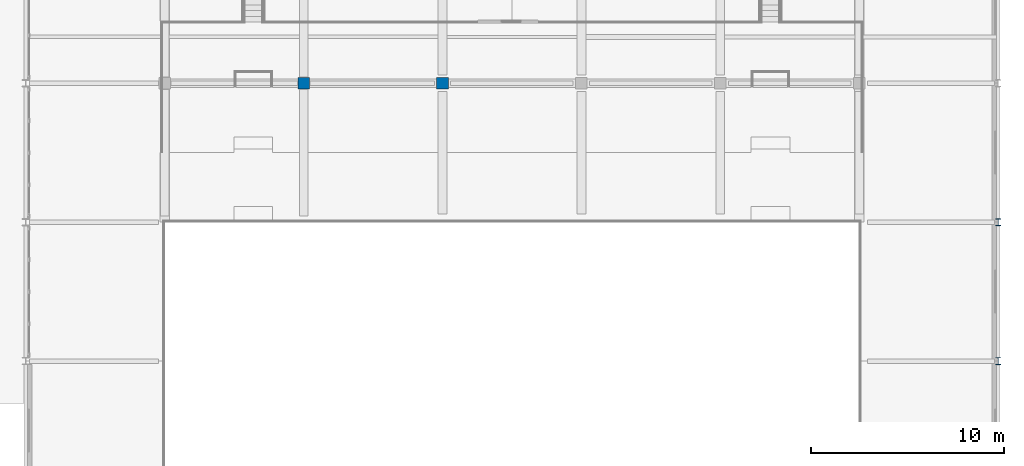
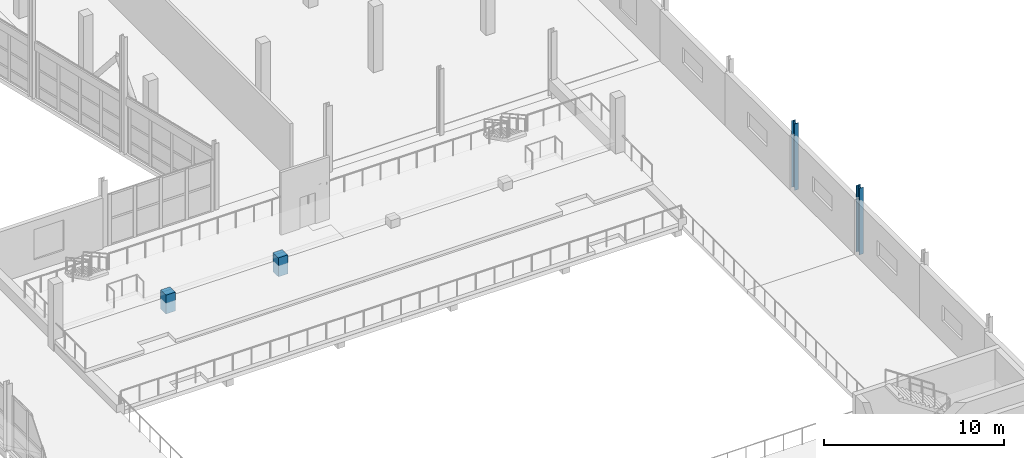
# One storey, part 19 of 123: 4 columns.
"""IFC4 building model written with IfcOpenShell, lengths in metres."""

from ifc_helpers import new_model, si_unit, direction, frame, origin, origin_2d, place, context, subcontext, project, spatial, rectangle, i_section, extrude, material, material_profile, profile_set, type_object, element, save


model = new_model("IFC4")

# Units and contexts
model_context = context("Model", 3, precision=1e-05, world=origin(), true_north=direction((0.0, 1.0)))
body_context = subcontext(model_context, "Body", "Model", "MODEL_VIEW")
ifc_project = project(units=[si_unit("LENGTHUNIT", "METRE"), si_unit("AREAUNIT", "SQUARE_METRE"), si_unit("VOLUMEUNIT", "CUBIC_METRE"), si_unit("PLANEANGLEUNIT", "RADIAN"), si_unit("MASSUNIT", "GRAM", prefix="KILO")], contexts=[model_context])

# Site, building, storey
site_placement = place(None, origin())
site = spatial("IfcSite", under=ifc_project, at=site_placement, CompositionType="ELEMENT")
building_placement = place(site_placement, origin())
building = spatial("IfcBuilding", under=site, at=building_placement, Name="Kalmorath City Hall", CompositionType="ELEMENT")
storey_placement = place(building_placement, frame((0.0, 0.0, 10.199951171875)))
storey = spatial("IfcBuildingStorey", under=building, at=storey_placement, Name="L02", CompositionType="ELEMENT", Elevation=10.199951171875)

# Columns
ifc_material_1 = material(Name="Concrete C50/60", Category="concrete")
ifc_material_profile_1 = material_profile(ifc_material_1, rectangle(XDim=0.60009765625, YDim=0.60009765625, at=origin_2d()), Name="RC-COL-600X600")
ifc_profile_set_1 = profile_set([ifc_material_profile_1], Name="Concrete C50/60")
column_type_1 = type_object("IfcColumnType", Name="Concrete column 600x600", PredefinedType="COLUMN", material=ifc_profile_set_1)
for number, where, z_axis, x_axis, name in (
    (1, (129.60009765625, 36.0, 0.0), (0.0, 0.0, 1.0), (1.0, 0.0, 0.0), "L02 gallery tier column A-1"),
    (2, (136.800048828125, 36.0, 0.0), (0.0, 0.0, 1.0), (1.0, 0.0, 0.0), "L02 gallery tier column A-2"),
):
    element("IfcColumn", number, at=place(storey_placement, frame(where, z_axis=z_axis, x_axis=x_axis)), inside=storey, type_object=column_type_1, Name=name, PredefinedType="COLUMN", context=body_context, shape_type="SweptSolid", body=[
        extrude(rectangle(XDim=0.60009765625, YDim=0.60009765625, at=origin_2d()), origin(), (0.0, 0.0, 1.0), 1.280029296875),
    ])
ifc_material_2 = material(Name="Steel ASTM A992 Grade 50", Category="steel")
ifc_material_profile_2 = material_profile(ifc_material_2, i_section(OverallWidth=0.256103515625, OverallDepth=0.360107421875, WebThickness=0.011474609375, FlangeThickness=0.02001953125, FilletRadius=0.014892578125, at=origin_2d()), Name="W14X74")
ifc_profile_set_2 = profile_set([ifc_material_profile_2], Name="Steel ASTM A992 Grade 50")
column_type_2 = type_object("IfcColumnType", Name="Steel wide-flange column W14X74", PredefinedType="COLUMN", material=ifc_profile_set_2)
for number, where, z_axis, x_axis, name in (
    (3, (165.60009765625, 21.60009765625, 0.0), (0.0, 0.0, 1.0), (1.0, 0.0, 0.0), "L02 column SC4 (24/4)"),
    (4, (165.60009765625, 28.800048828125, 0.0), (0.0, 0.0, 1.0), (1.0, 0.0, 0.0), "L02 column SC4 (24/5)"),
):
    element("IfcColumn", number, at=place(storey_placement, frame(where, z_axis=z_axis, x_axis=x_axis)), inside=storey, type_object=column_type_2, Name=name, PredefinedType="COLUMN", context=body_context, shape_type="SweptSolid", body=[
        extrude(i_section(OverallWidth=0.256103515625, OverallDepth=0.360107421875, WebThickness=0.011474609375, FlangeThickness=0.02001953125, FilletRadius=0.014892578125, at=origin_2d()), origin(), (0.0, 0.0, 1.0), 4.5),
    ])

save(model, "model.ifc")
